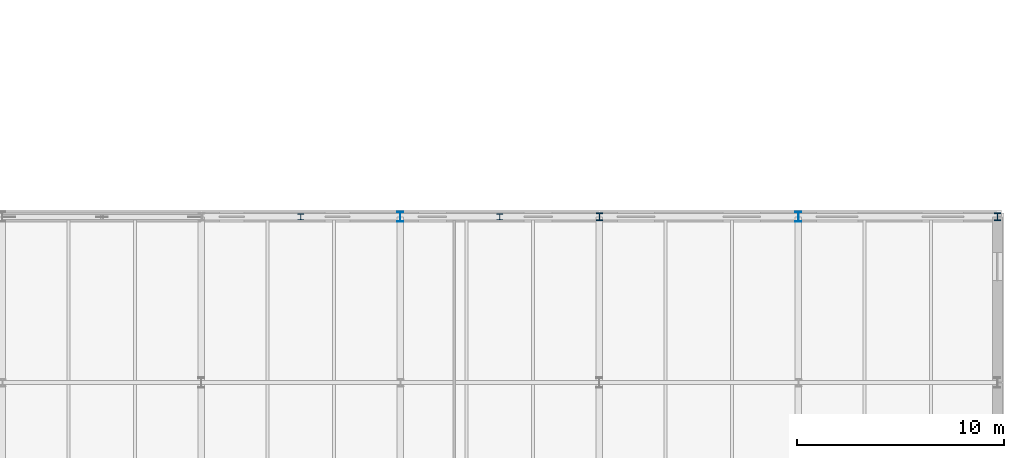
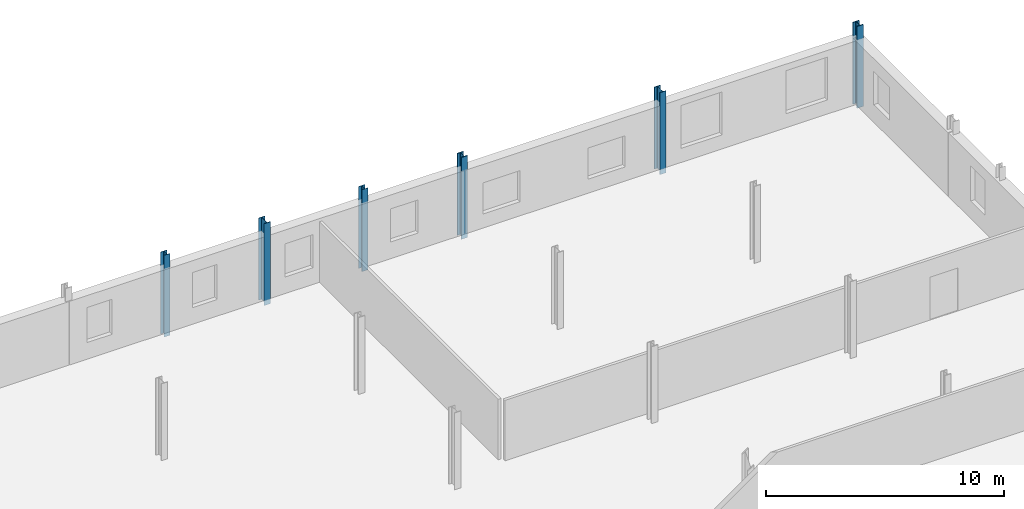
# One storey, part 29 of 78: 6 columns.
"""IFC4 building model written with IfcOpenShell, lengths in metres."""

from ifc_helpers import new_model, si_unit, direction, frame, origin, origin_2d, place, context, subcontext, project, spatial, i_section, extrude, material, material_profile, profile_set, type_object, element, save


model = new_model("IFC4")

# Units and contexts
model_context = context("Model", 3, precision=1e-05, world=origin(), true_north=direction((0.0, 1.0)))
body_context = subcontext(model_context, "Body", "Model", "MODEL_VIEW")
ifc_project = project(units=[si_unit("LENGTHUNIT", "METRE"), si_unit("AREAUNIT", "SQUARE_METRE"), si_unit("VOLUMEUNIT", "CUBIC_METRE"), si_unit("PLANEANGLEUNIT", "RADIAN"), si_unit("MASSUNIT", "GRAM", prefix="KILO")], contexts=[model_context])

# Site, building, storey
site_placement = place(None, origin())
site = spatial("IfcSite", under=ifc_project, at=site_placement, CompositionType="ELEMENT")
building_placement = place(site_placement, origin())
building = spatial("IfcBuilding", under=site, at=building_placement, Name="Alderhovde Museum", CompositionType="ELEMENT")
storey_placement = place(building_placement, frame((0.0, 0.0, 4.5)))
storey = spatial("IfcBuildingStorey", under=building, at=storey_placement, Name="L01", CompositionType="ELEMENT", Elevation=4.5)

# Columns
ifc_material_1 = material(Name="Steel S355J2", Category="steel")
ifc_material_profile_1 = material_profile(ifc_material_1, i_section(OverallWidth=0.300048828125, OverallDepth=0.5, WebThickness=0.014404296875, FlangeThickness=0.028076171875, FilletRadius=0.027099609375, at=origin_2d()), Name="HEB 500")
ifc_profile_set_1 = profile_set([ifc_material_profile_1], Name="Steel S355J2")
column_type_1 = type_object("IfcColumnType", Name="COL-HEB500", PredefinedType="COLUMN", material=ifc_profile_set_1)
for number, where, z_axis, x_axis, name in (
    (1, (144.0, 96.0, -0.260009765625), (0.0, 0.0, 1.0), (1.0, 0.0, 0.0), "L01 Column (144.0, 96.0)"),
    (2, (163.199951171875, 96.0, -0.260009765625), (0.0, 0.0, 1.0), (1.0, 0.0, 0.0), "L01 Column (163.2, 96.0)"),
):
    element("IfcColumn", number, at=place(storey_placement, frame(where, z_axis=z_axis, x_axis=x_axis)), inside=storey, type_object=column_type_1, Name=name, PredefinedType="COLUMN", context=body_context, shape_type="SweptSolid", body=[
        extrude(i_section(OverallWidth=0.300048828125, OverallDepth=0.5, WebThickness=0.014404296875, FlangeThickness=0.028076171875, FilletRadius=0.027099609375, at=origin_2d()), origin(), (0.0, 0.0, 1.0), 4.199951171875),
    ])
ifc_material_2 = material(Name="Steel S355J2", Category="steel")
ifc_material_profile_2 = material_profile(ifc_material_2, i_section(OverallWidth=0.30908203125, OverallDepth=0.376953125, WebThickness=0.02099609375, FlangeThickness=0.0400390625, FilletRadius=0.027099609375, at=origin_2d()), Name="HEM 340")
ifc_profile_set_2 = profile_set([ifc_material_profile_2], Name="Steel S355J2")
column_type_2 = type_object("IfcColumnType", Name="COL-HEM340", PredefinedType="COLUMN", material=ifc_profile_set_2)
for number, where, z_axis, x_axis, name in (
    (3, (153.60009765625, 96.0, -0.260009765625), (0.0, 0.0, 1.0), (1.0, 0.0, 0.0), "L01 Column (153.6, 96.0)"),
    (4, (172.800048828125, 96.0, -0.260009765625), (0.0, 0.0, 1.0), (1.0, 0.0, 0.0), "L01 Column (172.8, 96.0)"),
):
    element("IfcColumn", number, at=place(storey_placement, frame(where, z_axis=z_axis, x_axis=x_axis)), inside=storey, type_object=column_type_2, Name=name, PredefinedType="COLUMN", context=body_context, shape_type="SweptSolid", body=[
        extrude(i_section(OverallWidth=0.30908203125, OverallDepth=0.376953125, WebThickness=0.02099609375, FlangeThickness=0.0400390625, FilletRadius=0.027099609375, at=origin_2d()), origin(), (0.0, 0.0, 1.0), 4.199951171875),
    ])
ifc_material_3 = material(Name="Steel S355J2", Category="steel")
ifc_material_profile_3 = material_profile(ifc_material_3, i_section(OverallWidth=0.300048828125, OverallDepth=0.2900390625, WebThickness=0.008544921875, FlangeThickness=0.013916015625, FilletRadius=0.027099609375, at=origin_2d()), Name="HEA 300")
ifc_profile_set_3 = profile_set([ifc_material_profile_3], Name="Steel S355J2")
column_type_3 = type_object("IfcColumnType", Name="PIL-HEA300", PredefinedType="PILASTER", material=ifc_profile_set_3)
for number, where, z_axis, x_axis, name in (
    (5, (139.199951171875, 96.0, -0.260009765625), (0.0, 0.0, 1.0), (1.0, 0.0, 0.0), "L01 Structural Pilaster (139.2, 96.0)"),
    (6, (148.800048828125, 96.0, -0.260009765625), (0.0, 0.0, 1.0), (1.0, 0.0, 0.0), "L01 Structural Pilaster (148.8, 96.0)"),
):
    element("IfcColumn", number, at=place(storey_placement, frame(where, z_axis=z_axis, x_axis=x_axis)), inside=storey, type_object=column_type_3, Name=name, PredefinedType="PILASTER", context=body_context, shape_type="SweptSolid", body=[
        extrude(i_section(OverallWidth=0.300048828125, OverallDepth=0.2900390625, WebThickness=0.008544921875, FlangeThickness=0.013916015625, FilletRadius=0.027099609375, at=origin_2d()), origin(), (0.0, 0.0, 1.0), 4.199951171875),
    ])

save(model, "model.ifc")
